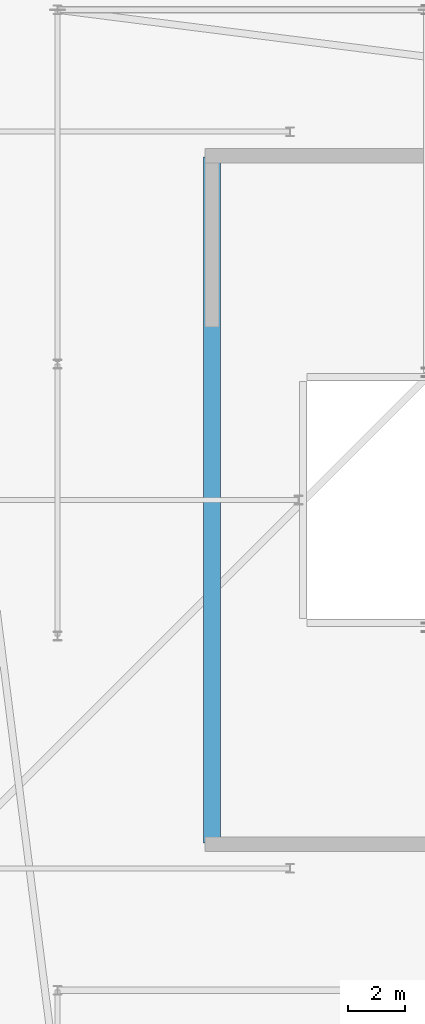
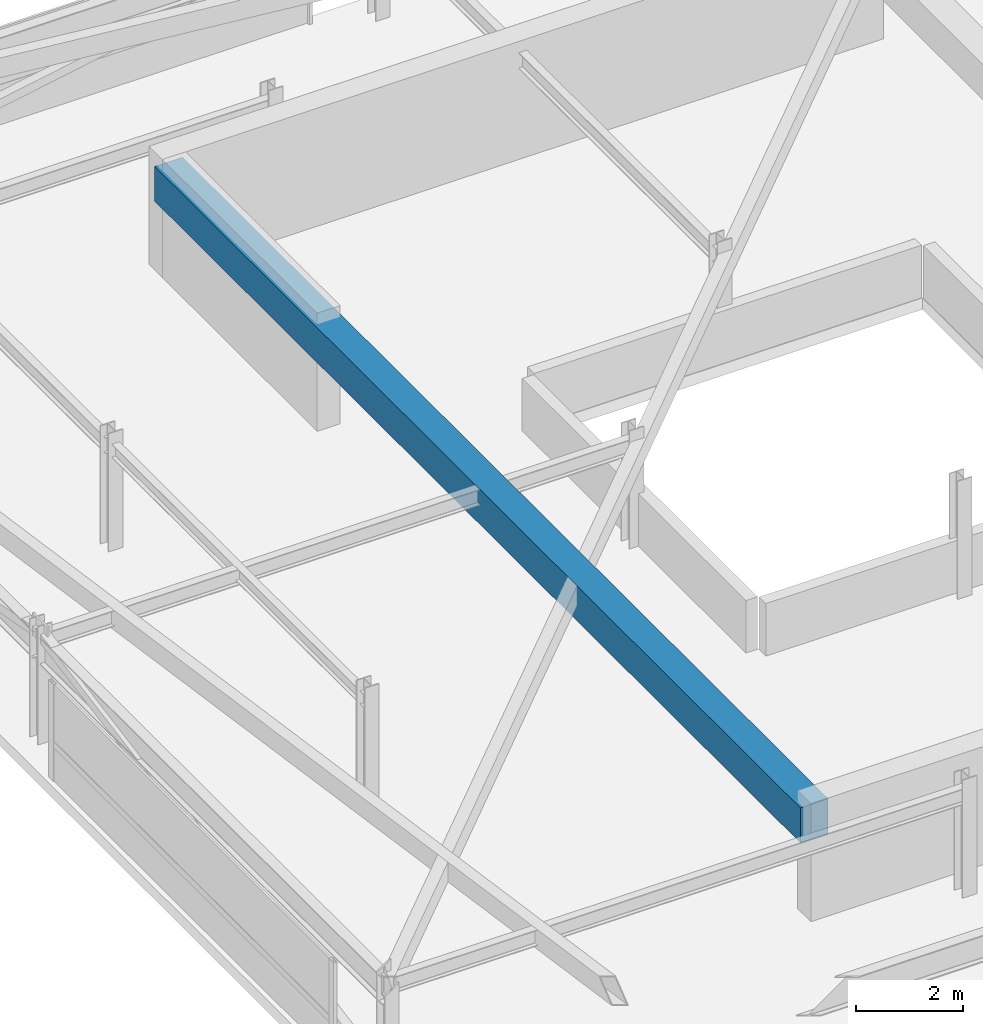
# One storey, part 15 of 44: 1 beam.
"""IFC4 building model written with IfcOpenShell, lengths in metres."""

from ifc_helpers import new_model, si_unit, direction, frame, origin, origin_2d, place, context, subcontext, project, spatial, rectangle, extrude, material, material_profile, profile_set, type_object, element, save


model = new_model("IFC4")

# Units and contexts
model_context = context("Model", 3, precision=1e-05, world=origin(), true_north=direction((0.0, 1.0)))
body_context = subcontext(model_context, "Body", "Model", "MODEL_VIEW")
ifc_project = project(units=[si_unit("LENGTHUNIT", "METRE"), si_unit("AREAUNIT", "SQUARE_METRE"), si_unit("VOLUMEUNIT", "CUBIC_METRE"), si_unit("PLANEANGLEUNIT", "RADIAN"), si_unit("MASSUNIT", "GRAM", prefix="KILO")], contexts=[model_context])

# Site, building, storey
site_placement = place(None, origin())
site = spatial("IfcSite", under=ifc_project, at=site_placement, CompositionType="ELEMENT")
building_placement = place(site_placement, origin())
building = spatial("IfcBuilding", under=site, at=building_placement, Name="Thornwick Lancets Civic Towers", CompositionType="ELEMENT")
storey_placement = place(building_placement, frame((0.0, 0.0, 292.199951171875)))
storey = spatial("IfcBuildingStorey", under=building, at=storey_placement, Name="C05", CompositionType="ELEMENT", Elevation=292.199951171875)

# Beam
ifc_material = material(Name="Concrete C60/75", Category="concrete")
ifc_material_profile = material_profile(ifc_material, rectangle(XDim=0.60009765625, YDim=0.800048828125, at=origin_2d()), Name="RC 600x800")
ifc_profile_set = profile_set([ifc_material_profile], Name="Concrete C60/75")
beam_type = type_object("IfcBeamType", Name="BM_COUP_RC800", PredefinedType="BEAM", material=ifc_profile_set)
beam_placement = place(storey_placement, frame((17.949951171875, 14.89990234375, 2.0400390625), z_axis=(0.0, 1.0, 0.0), x_axis=(-1.0, 0.0, 0.0)))
element("IfcBeam", 1, at=beam_placement, inside=storey, type_object=beam_type, Name="CB-C05-A2", PredefinedType="BEAM", context=body_context, shape_type="SweptSolid", body=[
    extrude(rectangle(XDim=0.60009765625, YDim=0.800048828125, at=origin_2d()), origin(), (0.0, 0.0, 1.0), 24.2001953125),
])

save(model, "model.ifc")
